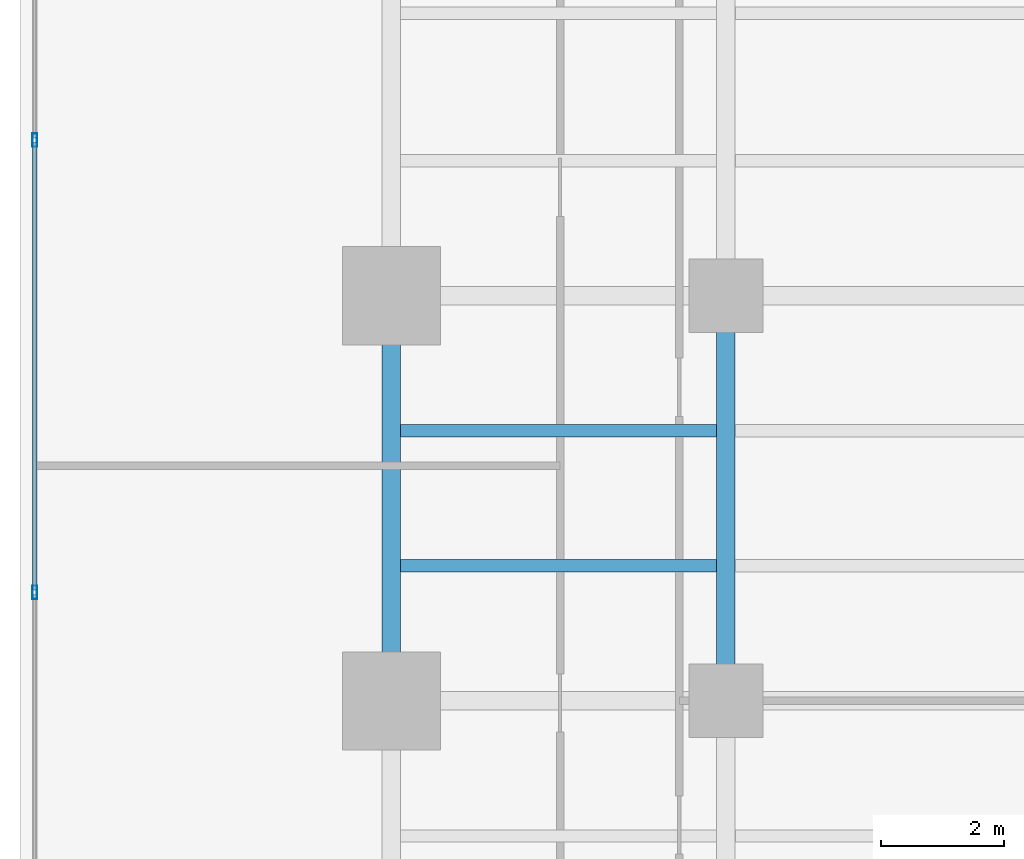
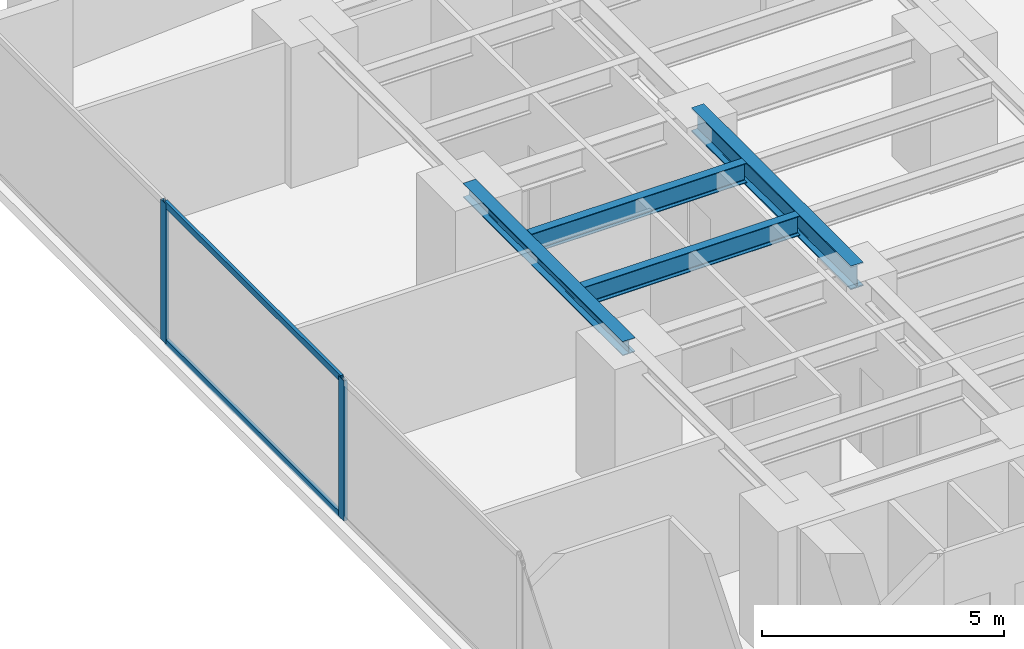
# One storey, part 15 of 28: 4 beams, 4 members, 1 element without a shape of its own.
"""IFC4 building model written with IfcOpenShell, lengths in metres."""

from ifc_helpers import new_model, si_unit, direction, frame, origin, origin_with_axes, origin_2d, place, context, subcontext, project, spatial, hollow_rectangle, i_section, extrude, source, transform, mapped, material, layer, layer_set, material_profile, profile_set, type_object, element, aggregate, save


model = new_model("IFC4")

# Units and contexts
model_context = context("Model", 3, precision=1e-05, world=origin(), true_north=direction((0.0, 1.0)))
body_context = subcontext(model_context, "Body", "Model", "MODEL_VIEW")
ifc_project = project(units=[si_unit("LENGTHUNIT", "METRE"), si_unit("AREAUNIT", "SQUARE_METRE"), si_unit("VOLUMEUNIT", "CUBIC_METRE"), si_unit("PLANEANGLEUNIT", "RADIAN"), si_unit("MASSUNIT", "GRAM", prefix="KILO")], contexts=[model_context])

# Site, building, storey
site_placement = place(None, origin())
site = spatial("IfcSite", under=ifc_project, at=site_placement, CompositionType="ELEMENT")
building_placement = place(site_placement, origin())
building = spatial("IfcBuilding", under=site, at=building_placement, Name="Kolvaren Waterfront Exchange", CompositionType="ELEMENT")
storey_placement = place(building_placement, frame((0.0, 0.0, 75.199951171875)))
storey = spatial("IfcBuildingStorey", under=building, at=storey_placement, Name="L19", CompositionType="ELEMENT", Elevation=75.199951171875)

# Beams
ifc_material_1 = material(Name="Steel S355", Category="steel")
ifc_material_profile_1 = material_profile(ifc_material_1, i_section(OverallWidth=0.300048828125, OverallDepth=0.360107421875, WebThickness=0.012451171875, FlangeThickness=0.0224609375, FilletRadius=0.027099609375, at=origin_2d()), Name="HEB360")
ifc_profile_set_1 = profile_set([ifc_material_profile_1], Name="Steel S355")
beam_type_1 = type_object("IfcBeamType", Name="STR-BM-HEB360", PredefinedType="SPANDREL", material=ifc_profile_set_1)
beam_1_placement = place(storey_placement, frame((7.449951171875, 31.199951171875, 3.360107421875), z_axis=(0.0, 1.0, 0.0), x_axis=(-1.0, 0.0, 0.0)))
element("IfcBeam", 1, at=beam_1_placement, inside=storey, type_object=beam_type_1, Name="L19 north-arm edge beam 2", PredefinedType="SPANDREL", context=body_context, shape_type="SweptSolid", body=[
    extrude(i_section(OverallWidth=0.300048828125, OverallDepth=0.360107421875, WebThickness=0.012451171875, FlangeThickness=0.0224609375, FilletRadius=0.027099609375, at=origin_2d()), origin(), (0.0, 0.0, 1.0), 6.60009765625),
])
ifc_material_profile_2 = material_profile(ifc_material_1, i_section(OverallWidth=0.300048828125, OverallDepth=0.60009765625, WebThickness=0.015380859375, FlangeThickness=0.030029296875, FilletRadius=0.027099609375, at=origin_2d()), Name="HEB600")
ifc_profile_set_2 = profile_set([ifc_material_profile_2], Name="Steel S355")
beam_type_2 = type_object("IfcBeamType", Name="STR-BM-HEB600", PredefinedType="BEAM", material=ifc_profile_set_2)
beam_2_placement = place(storey_placement, frame((12.89990234375, 31.199951171875, 3.239990234375), z_axis=(0.0, 1.0, 0.0), x_axis=(-1.0, 0.0, 0.0)))
element("IfcBeam", 2, at=beam_2_placement, inside=storey, type_object=beam_type_2, Name="L19 north-arm edge beam 2", PredefinedType="BEAM", context=body_context, shape_type="SweptSolid", body=[
    extrude(i_section(OverallWidth=0.300048828125, OverallDepth=0.60009765625, WebThickness=0.015380859375, FlangeThickness=0.030029296875, FilletRadius=0.027099609375, at=origin_2d()), origin(), (0.0, 0.0, 1.0), 6.60009765625),
])
ifc_material_profile_3 = material_profile(ifc_material_1, i_section(OverallWidth=0.199951171875, OverallDepth=0.5, WebThickness=0.01025390625, FlangeThickness=0.01611328125, FilletRadius=0.02099609375, at=origin_2d()), Name="IPE500")
ifc_profile_set_3 = profile_set([ifc_material_profile_3], Name="Steel S355")
beam_type_3 = type_object("IfcBeamType", Name="STR-BM-IPE500", PredefinedType="JOIST", material=ifc_profile_set_3)
for number, where, z_axis, x_axis, name in (
    (3, (7.60205078125, 33.39990234375, 3.2900390625), (1.0, 0.0, 0.0), (0.0, 1.0, 0.0), "L19 north-arm composite joist 3A"),
    (4, (7.60205078125, 35.60009765625, 3.2900390625), (1.0, 0.0, 0.0), (0.0, 1.0, 0.0), "L19 north-arm composite joist 4A"),
):
    element("IfcBeam", number, at=place(storey_placement, frame(where, z_axis=z_axis, x_axis=x_axis)), inside=storey, type_object=beam_type_3, Name=name, PredefinedType="JOIST", context=body_context, shape_type="SweptSolid", body=[
        extrude(i_section(OverallWidth=0.199951171875, OverallDepth=0.5, WebThickness=0.01025390625, FlangeThickness=0.01611328125, FilletRadius=0.02099609375, at=origin_2d()), origin(), (0.0, 0.0, 1.0), 5.14599609375),
    ])

# Curtain wall, members
ifc_material_2 = material(Name="Anodised aluminium 6063-T6", Category="aluminium")
ifc_layer = layer(ifc_material_2, 0.219970703125, Name="Anodised aluminium 6063-T6")
ifc_layer_set = layer_set([ifc_layer], Name="Anodised aluminium 6063-T6")
curtain_wall_type = type_object("IfcCurtainWallType", Name="ARC-CW-SYS2", PredefinedType="USERDEFINED", material=ifc_layer_set)
curtain_wall_placement = place(storey_placement, origin())
curtain_wall = element("IfcCurtainWall", 5, at=curtain_wall_placement, inside=storey, type_object=curtain_wall_type, Name="L19 stick curtain wall CW2 (CW-L19-W)", ObjectType="STICK CURTAIN WALL", PredefinedType="USERDEFINED")
ifc_material_profile_4 = material_profile(ifc_material_2, hollow_rectangle(XDim=0.074951171875, YDim=0.159912109375, WallThickness=0.00439453125, at=origin_2d()), Name="ALU-TRN-160x75x4.5")
ifc_profile_set_4 = profile_set([ifc_material_profile_4], Name="Anodised aluminium 6063-T6")
member_type_1 = type_object("IfcMemberType", Name="ARC-CWT-160", PredefinedType="USERDEFINED", material=ifc_profile_set_4)
shared_shape_1 = source(origin_with_axes(), body_context, "Body", "SweptSolid", [
    extrude(hollow_rectangle(XDim=0.074951171875, YDim=0.159912109375, WallThickness=0.00439453125, at=origin_2d()), origin(), (0.0, 0.0, 1.0), 7.28662109375),
])
member_1_placement = place(storey_placement, frame((1.639892578125, 33.006591796875, 0.03759765625), z_axis=(0.0, 1.0, 0.0), x_axis=(-1.0, 0.0, 0.0)))
member_1 = element("IfcMember", 6, at=member_1_placement, type_object=member_type_1, Name="CW2 transom 5.1", ObjectType="TRANSOM", PredefinedType="USERDEFINED", context=body_context, shape_type="MappedRepresentation", body=[
    mapped(shared_shape_1, transform((0.0, 0.0, 0.0), x_axis=(1.0, 0.0, 0.0), y_axis=(0.0, 1.0, 0.0), z_axis=(0.0, 0.0, 1.0), scale=1.0)),
])
member_2_placement = place(storey_placement, frame((1.639892578125, 33.006591796875, 3.50244140625), z_axis=(0.0, 1.0, 0.0), x_axis=(-1.0, 0.0, 0.0)))
member_2 = element("IfcMember", 7, at=member_2_placement, type_object=member_type_1, Name="CW2 transom 5.2", ObjectType="TRANSOM", PredefinedType="USERDEFINED", context=body_context, shape_type="MappedRepresentation", body=[
    mapped(shared_shape_1, transform((0.0, 0.0, 0.0), x_axis=(1.0, 0.0, 0.0), y_axis=(0.0, 1.0, 0.0), z_axis=(0.0, 0.0, 1.0), scale=1.0)),
])
ifc_material_profile_5 = material_profile(ifc_material_2, hollow_rectangle(XDim=0.080078125, YDim=0.219970703125, WallThickness=0.0048828125, at=origin_2d()), Name="ALU-MUL-220x80x5")
ifc_profile_set_5 = profile_set([ifc_material_profile_5], Name="Anodised aluminium 6063-T6")
member_type_2 = type_object("IfcMemberType", Name="ARC-CWM-220", PredefinedType="MULLION", material=ifc_profile_set_5)
shared_shape_2 = source(origin_with_axes(), body_context, "Body", "SweptSolid", [
    extrude(hollow_rectangle(XDim=0.080078125, YDim=0.219970703125, WallThickness=0.0048828125, at=origin_2d()), origin(), (0.0, 0.0, 1.0), 3.5400390625),
])
member_3_placement = place(storey_placement, frame((1.639892578125, 32.966552734375, 0.0), z_axis=(0.0, 0.0, 1.0), x_axis=(-1.0, 0.0, 0.0)))
member_3 = element("IfcMember", 8, at=member_3_placement, type_object=member_type_2, Name="CW2 mullion 5", PredefinedType="MULLION", context=body_context, shape_type="MappedRepresentation", body=[
    mapped(shared_shape_2, transform((0.0, 0.0, 0.0), x_axis=(1.0, 0.0, 0.0), y_axis=(0.0, 1.0, 0.0), z_axis=(0.0, 0.0, 1.0), scale=1.0)),
])
member_4_placement = place(storey_placement, frame((1.639892578125, 40.333251953125, 0.0), z_axis=(0.0, 0.0, 1.0), x_axis=(-1.0, 0.0, 0.0)))
member_4 = element("IfcMember", 9, at=member_4_placement, type_object=member_type_2, Name="CW2 mullion 6", PredefinedType="MULLION", context=body_context, shape_type="MappedRepresentation", body=[
    mapped(shared_shape_2, transform((0.0, 0.0, 0.0), x_axis=(1.0, 0.0, 0.0), y_axis=(0.0, 1.0, 0.0), z_axis=(0.0, 0.0, 1.0), scale=1.0)),
])
aggregate(curtain_wall, [member_3, member_4, member_1, member_2])

save(model, "model.ifc")
